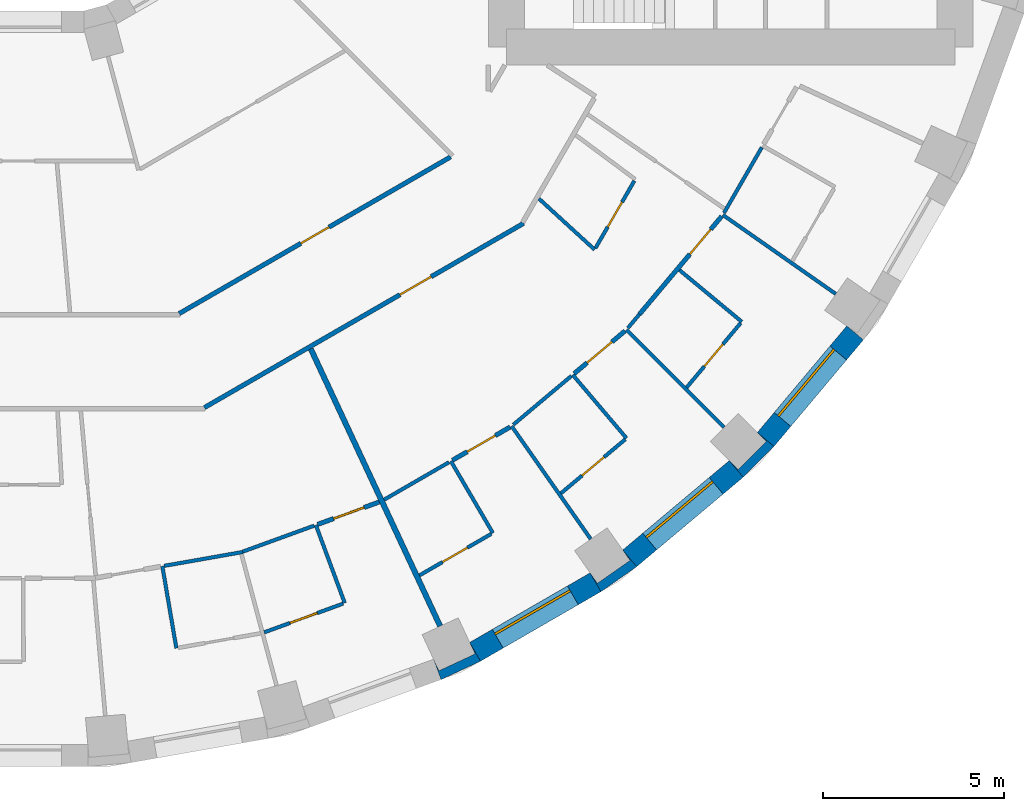
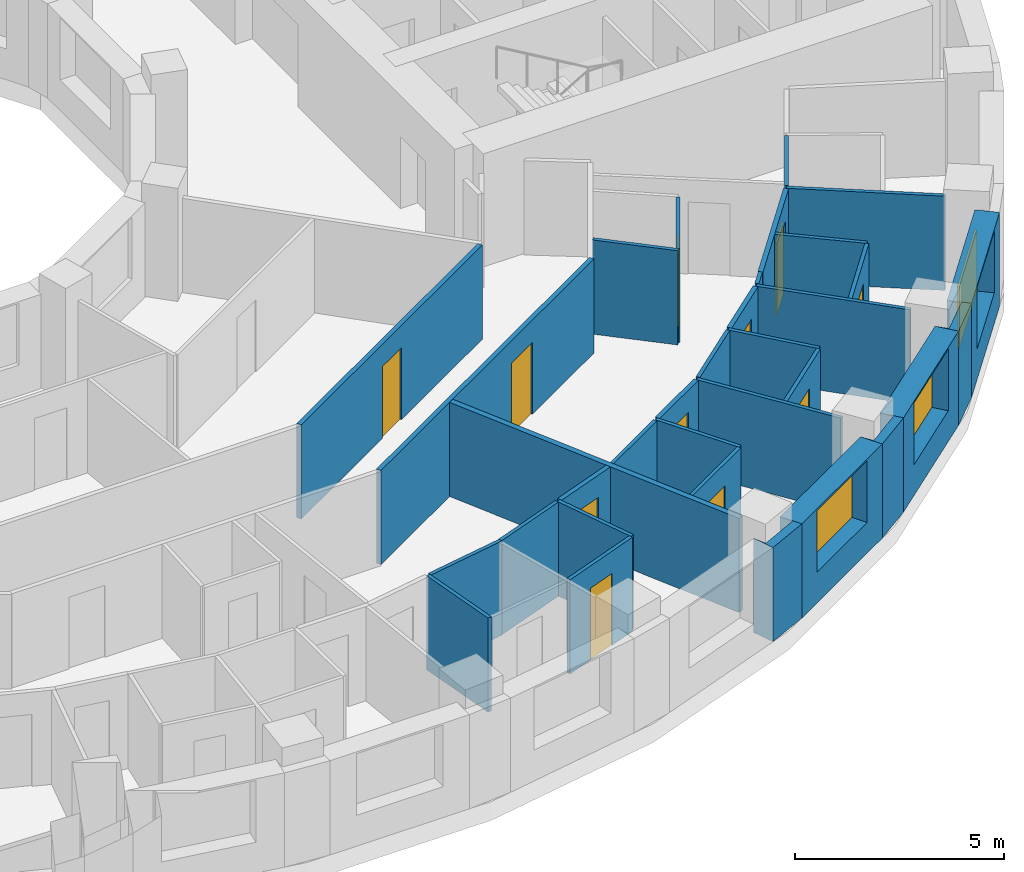
# One storey, part 7 of 15: 33 walls, 11 doors, 3 windows, 14 openings.
"""IFC4 building model written with IfcOpenShell, lengths in metres."""

import ifcopenshell
import ifcopenshell.guid

model = None  # the IFC model being written
_history = None  # IfcOwnerHistory: only IFC2X3 demands one
_inside = {}  # id of a spatial element -> (the spatial element, [elements in it])
_under = {}  # id of a project, library or spatial element -> (it, [spatial elements below it])
_declared = {}  # id of a project -> (the project, [libraries it declares])
_typed = {}  # id of a type object -> (the type object, [elements of that type])
_made_of = {}  # id of a material, layer set ... -> (it, [elements and type objects made of it])


def new_model(schema):
    """Start an empty IFC model of exactly this schema.

    Asked for "IFC4X3", IfcOpenShell would pick the latest addendum, in which some entities
    have other attributes; the version numbers below select the first issue.
    IFC2X3 requires an IfcOwnerHistory on every rooted entity: one is made here for all.
    """
    global model, _history
    if schema == "IFC4X3":
        model = ifcopenshell.file(schema_version=(4, 3, 0, 0))
    else:
        model = ifcopenshell.file(schema=schema)
    _inside.clear()
    _under.clear()
    _declared.clear()
    _typed.clear()
    _made_of.clear()
    _history = None
    if model.schema == "IFC2X3":
        org = make("IfcOrganization", Name="unknown")
        user = make(
            "IfcPersonAndOrganization",
            ThePerson=make("IfcPerson", FamilyName="unknown"),
            TheOrganization=org,
        )
        app = make(
            "IfcApplication",
            ApplicationDeveloper=org,
            Version="unknown",
            ApplicationFullName="unknown",
            ApplicationIdentifier="unknown",
        )
        _history = make(
            "IfcOwnerHistory",
            OwningUser=user,
            OwningApplication=app,
            ChangeAction="ADDED",
            CreationDate=0,
        )
    return model


def make(cls, **values):
    """One entity of the class cls with the attributes given. An attribute that is None is left unset."""
    return model.create_entity(
        cls, **{name: value for name, value in values.items() if value is not None}
    )


def rooted(cls, **values):
    """An entity with a GlobalId (a new one), such as an element, a storey or a relation."""
    return make(cls, GlobalId=ifcopenshell.guid.new(), OwnerHistory=_history, **values)


def si_unit(unit_type, name, prefix=None):
    """IfcSIUnit, for example si_unit("LENGTHUNIT", "METRE", prefix="MILLI")."""
    return make("IfcSIUnit", UnitType=unit_type, Prefix=prefix, Name=name)


def assignment(units):
    """IfcUnitAssignment: the units of a project."""
    return None if units is None else make("IfcUnitAssignment", Units=units)


def point(xyz):
    """IfcCartesianPoint."""
    return None if xyz is None else make("IfcCartesianPoint", Coordinates=xyz)


def direction(xyz):
    """IfcDirection."""
    return None if xyz is None else make("IfcDirection", DirectionRatios=xyz)


def frame(location, z_axis=None, x_axis=None):
    """IfcAxis2Placement3D, a coordinate frame: its origin and axes. An axis left out is left unset."""
    return make(
        "IfcAxis2Placement3D",
        Location=point(location),
        Axis=direction(z_axis),
        RefDirection=direction(x_axis),
    )


def frame_2d(location, x_axis=None):
    """IfcAxis2Placement2D, a coordinate frame in the plane: its origin and x axis."""
    return make(
        "IfcAxis2Placement2D", Location=point(location), RefDirection=direction(x_axis)
    )


def origin():
    """The frame at (0, 0, 0) with its axes left unset."""
    return frame((0.0, 0.0, 0.0))


def place(relative_to, where):
    """IfcLocalPlacement: puts the frame where relative to a parent placement (None: the world)."""
    return make(
        "IfcLocalPlacement", PlacementRelTo=relative_to, RelativePlacement=where
    )


def context(
    kind, dimensions, precision=None, world=None, true_north=None, identifier=None
):
    """IfcGeometricRepresentationContext, for example the 3D "Model" context."""
    return make(
        "IfcGeometricRepresentationContext",
        ContextIdentifier=identifier,
        ContextType=kind,
        CoordinateSpaceDimension=dimensions,
        Precision=precision,
        WorldCoordinateSystem=world,
        TrueNorth=true_north,
    )


def subcontext(parent, identifier, kind, view, scale=None):
    """IfcGeometricRepresentationSubContext, for example "Body" below "Model"."""
    return make(
        "IfcGeometricRepresentationSubContext",
        ContextIdentifier=identifier,
        ContextType=kind,
        ParentContext=parent,
        TargetScale=scale,
        TargetView=view,
    )


def project(units=None, contexts=None):
    """IfcProject with its units and contexts."""
    return rooted(
        "IfcProject",
        Name="project",
        RepresentationContexts=contexts,
        UnitsInContext=assignment(units),
    )


def spatial(cls, under=None, at=None, **own):
    """A site, building, storey or space (cls), placed at a placement, below another one or the project."""
    s = rooted(cls, ObjectPlacement=at, **own)
    if under is not None:
        _under.setdefault(under.id(), (under, []))[1].append(s)
    return s


def polyline(points):
    """IfcPolyline through the points."""
    return make("IfcPolyline", Points=[point(p) for p in points])


def profile(cls, at=None, kind="AREA", **sizes):
    """A parametric profile (cls). Its sizes go by their IFC names, for example OverallWidth=200.0."""
    return make(cls, ProfileType=kind, Position=at, **sizes)


def rectangle(**sizes):
    """IfcRectangleProfileDef."""
    return profile("IfcRectangleProfileDef", **sizes)


def outline(outer, holes=None, kind="AREA"):
    """IfcArbitraryClosedProfileDef: a profile drawn as a closed curve; with holes, ...WithVoids."""
    if holes is None:
        return make("IfcArbitraryClosedProfileDef", ProfileType=kind, OuterCurve=outer)
    return make(
        "IfcArbitraryProfileDefWithVoids",
        ProfileType=kind,
        OuterCurve=outer,
        InnerCurves=holes,
    )


def extrude(swept, where, along, depth):
    """IfcExtrudedAreaSolid: the profile swept, set in the frame where, extruded along a direction by depth."""
    return make(
        "IfcExtrudedAreaSolid",
        SweptArea=swept,
        Position=where,
        ExtrudedDirection=direction(along),
        Depth=depth,
    )


def shape(context_of_items, identifier, shape_type, items):
    """IfcShapeRepresentation: the items that make up one representation, for example the "Body"."""
    return make(
        "IfcShapeRepresentation",
        ContextOfItems=context_of_items,
        RepresentationIdentifier=identifier,
        RepresentationType=shape_type,
        Items=items,
    )


def material(Name=None, Category=None):
    """IfcMaterial."""
    return make("IfcMaterial", Name=Name, Category=Category)


def layer(
    of_material, thickness, ventilated=None, Name=None, Category=None, Priority=None
):
    """IfcMaterialLayer: one layer of a wall or slab, of a material (None: an air gap)."""
    return make(
        "IfcMaterialLayer",
        Material=of_material,
        LayerThickness=thickness,
        IsVentilated=ventilated,
        Name=Name,
        Category=Category,
        Priority=Priority,
    )


def layer_set(layers, Name=None):
    """IfcMaterialLayerSet."""
    return make("IfcMaterialLayerSet", MaterialLayers=layers, LayerSetName=Name)


def made_of(thing, what):
    """Note that an element or type object is made of a material, layer set ...; save() writes the relation."""
    if what is not None:
        _made_of.setdefault(what.id(), (what, []))[1].append(thing)
    return thing


def type_object(cls, material=None, **own):
    """A type object (cls), such as IfcWallType, which elements share."""
    return made_of(rooted(cls, **own), material)


def element(
    cls,
    number,
    at=None,
    inside=None,
    cuts=None,
    type_object=None,
    material=None,
    context=None,
    identifier="Body",
    shape_type=None,
    held_by="IfcProductDefinitionShape",
    body=None,
    shapes=None,
    **own,
):
    """One element of the class cls, such as IfcWall. Its Tag is "e" and its number.

    at: its placement. inside: the storey or other place that contains it. cuts: it is an
    opening in that element (IfcRelVoidsElement). A single representation is given by context,
    identifier, shape_type and body (its items); several are given by shapes. held_by: the class
    of the entity that holds the representations. save() writes the other relations.
    """
    e = rooted(cls, Tag="e%d" % number, ObjectPlacement=at, **own)
    if body is not None:
        shapes = [shape(context, identifier, shape_type, body)]
    if shapes is not None:
        e.Representation = make(held_by, Representations=shapes)
    if inside is not None:
        _inside.setdefault(inside.id(), (inside, []))[1].append(e)
    if cuts is not None:
        rooted(
            "IfcRelVoidsElement", RelatingBuildingElement=cuts, RelatedOpeningElement=e
        )
    if type_object is not None:
        _typed.setdefault(type_object.id(), (type_object, []))[1].append(e)
    return made_of(e, material)


def fill(opening, filler):
    """IfcRelFillsElement: the door or window that sits in an opening."""
    return rooted(
        "IfcRelFillsElement",
        RelatingOpeningElement=opening,
        RelatedBuildingElement=filler,
    )


def aggregate(whole, parts):
    """IfcRelAggregates: a whole, such as a stair, and the parts it consists of."""
    return rooted("IfcRelAggregates", RelatingObject=whole, RelatedObjects=parts)


def save(model, path):
    """Write the relations noted so far, then the file.

    IfcRelAggregates (storeys below a building ...), IfcRelContainedInSpatialStructure (elements
    in a storey), IfcRelDefinesByType, IfcRelAssociatesMaterial and IfcRelDeclares: one each for
    every whole, place, type object, material and project.
    """
    for whole, parts in _under.values():
        aggregate(whole, parts)
    for where, things in _inside.values():
        rooted(
            "IfcRelContainedInSpatialStructure",
            RelatedElements=things,
            RelatingStructure=where,
        )
    for kind, things in _typed.values():
        rooted("IfcRelDefinesByType", RelatedObjects=things, RelatingType=kind)
    for what, things in _made_of.values():
        rooted("IfcRelAssociatesMaterial", RelatedObjects=things, RelatingMaterial=what)
    for by, libraries in _declared.values():
        rooted("IfcRelDeclares", RelatingContext=by, RelatedDefinitions=libraries)
    model.write(path)


model = new_model("IFC4")

# Units and contexts
model_context = context("Model", 3, precision=1e-05, world=origin(), true_north=direction((0.0, 1.0)))
body_context = subcontext(model_context, "Body", "Model", "MODEL_VIEW")
ifc_project = project(units=[si_unit("LENGTHUNIT", "METRE"), si_unit("AREAUNIT", "SQUARE_METRE"), si_unit("VOLUMEUNIT", "CUBIC_METRE"), si_unit("PLANEANGLEUNIT", "RADIAN"), si_unit("MASSUNIT", "GRAM", prefix="KILO")], contexts=[model_context])

# Site, building, storey
site_placement = place(None, origin())
site = spatial("IfcSite", under=ifc_project, at=site_placement, CompositionType="ELEMENT")
building_placement = place(site_placement, origin())
building = spatial("IfcBuilding", under=site, at=building_placement, Name="Saqina Gate Tower", CompositionType="ELEMENT")
storey_placement = place(building_placement, frame((0.0, 0.0, 62.60009765625)))
storey = spatial("IfcBuildingStorey", under=building, at=storey_placement, Name="L17", CompositionType="ELEMENT", Elevation=62.60009765625)

# Walls
ifc_material_1 = material(Name="Brick masonry (red)", Category="masonry")
wall_type_1 = type_object("IfcWallType", Name="BRICK PIER COPING RED", PredefinedType="SOLIDWALL", material=ifc_material_1)
wall_1_placement = place(storey_placement, origin())
element("IfcWall", 1, at=wall_1_placement, inside=storey, type_object=wall_type_1, Name="Pier cap L17 column 30", PredefinedType="SOLIDWALL", context=body_context, shape_type="SweptSolid", body=[
    extrude(outline(polyline([(12.779541015625, -25.980712890625), (12.4794921875, -25.4609375), (12.627685546875, -25.778564453125), (11.630615234375, -26.243408203125), (11.482666015625, -25.92578125), (11.687744140625, -26.48974609375), (12.779541015625, -25.980712890625)])), origin(), (0.0, 0.0, 1.0), 2.75),
])
wall_2_placement = place(storey_placement, origin())
element("IfcWall", 2, at=wall_2_placement, inside=storey, type_object=wall_type_1, Name="Pier cap L17 column 31", PredefinedType="SOLIDWALL", context=body_context, shape_type="SweptSolid", body=[
    extrude(outline(polyline([(16.110107421875, -24.0576171875), (17.096923828125, -23.36669921875), (16.711181640625, -22.9072265625), (16.912109375, -23.194091796875), (16.010986328125, -23.8251953125), (15.81005859375, -23.5380859375), (16.110107421875, -24.0576171875)])), origin(), (0.0, 0.0, 1.0), 2.75),
])
wall_3_placement = place(storey_placement, origin())
element("IfcWall", 3, at=wall_3_placement, inside=storey, type_object=wall_type_1, Name="Pier cap L17 column 32", PredefinedType="SOLIDWALL", context=body_context, shape_type="SweptSolid", body=[
    extrude(outline(polyline([(20.894775390625, -20.04296875), (20.43505859375, -19.6572265625), (20.682861328125, -19.905029296875), (19.905029296875, -20.682861328125), (19.6572265625, -20.43505859375), (20.04296875, -20.894775390625), (20.894775390625, -20.04296875)])), origin(), (0.0, 0.0, 1.0), 2.75),
])

# Wall, opening, window
ifc_material_2 = material(Name="Brick masonry (red)", Category="masonry")
ifc_layer_1 = layer(ifc_material_2, 0.60009765625)
ifc_layer_set_1 = layer_set([ifc_layer_1], Name="FW-BRICK-RED")
wall_type_2 = type_object("IfcWallType", Name="FW-BRICK-RED", PredefinedType="SOLIDWALL", material=ifc_layer_set_1)
wall_4_placement = place(storey_placement, frame((12.629638671875, -25.720703125, 0.0), z_axis=(0.0, 0.0, 1.0), x_axis=(0.86603124159, 0.499989888488, 0.0)))
wall_4 = element("IfcWall", 4, at=wall_4_placement, inside=storey, type_object=wall_type_2, Name="Facade wall L17 facet 30", PredefinedType="SOLIDWALL", context=body_context, shape_type="SweptSolid", body=[
    extrude(rectangle(XDim=3.845703125, YDim=0.60009765625, at=frame_2d((1.9228515625, 0.0))), origin(), (0.0, 0.0, 1.0), 2.75),
])
opening_1_placement = place(wall_4_placement, frame((0.722900390625, 0.0, 0.89990234375)))
opening_1 = element("IfcOpeningElement", 5, at=opening_1_placement, cuts=wall_4, Name="Opening G04-W20", PredefinedType="OPENING", context=body_context, shape_type="SweptSolid", body=[
    extrude(rectangle(XDim=2.39990234375, YDim=1.800048828125, at=frame_2d((1.199951171875, 0.89990234375))), frame((0.0, 0.31201171875, 0.0), z_axis=(0.0, -1.0, 0.0), x_axis=(1.0, 0.0, 0.0)), (0.0, 0.0, 1.0), 0.6240234375),
])
ifc_material_3 = material(Name="Aluminium glazing", Category="aluminium")
window_type = type_object("IfcWindowType", Name="WN-A", PartitioningType="SINGLE_PANEL", PredefinedType="WINDOW", material=ifc_material_3)
window_1_placement = place(opening_1_placement, origin())
window_1 = element("IfcWindow", 6, at=window_1_placement, inside=storey, type_object=window_type, Name="Window L17 facet 30", OverallHeight=1.800048828125, OverallWidth=2.39990234375, PartitioningType="SINGLE_PANEL", PredefinedType="WINDOW", context=body_context, shape_type="SweptSolid", body=[
    extrude(rectangle(XDim=2.39990234375, YDim=1.800048828125, at=frame_2d((1.199951171875, 0.89990234375))), frame((0.0, 0.179931640625, 0.0), z_axis=(0.0, -1.0, 0.0), x_axis=(1.0, 0.0, 0.0)), (0.0, 0.0, 1.0), 0.06005859375),
])
fill(opening_1, window_1)

wall_5_placement = place(storey_placement, frame((16.904052734375, -23.136962890625, 0.0), z_axis=(0.0, 0.0, 1.0), x_axis=(0.766026164483, 0.642809392687, 0.0)))
wall_5 = element("IfcWall", 7, at=wall_5_placement, inside=storey, type_object=wall_type_2, Name="Facade wall L17 facet 31", PredefinedType="SOLIDWALL", context=body_context, shape_type="SweptSolid", body=[
    extrude(rectangle(XDim=3.845947265625, YDim=0.60009765625, at=frame_2d((1.9228515625, 0.0))), origin(), (0.0, 0.0, 1.0), 2.75),
])
opening_2_placement = place(wall_5_placement, frame((0.722900390625, 0.0, 0.89990234375)))
opening_2 = element("IfcOpeningElement", 8, at=opening_2_placement, cuts=wall_5, Name="Opening G04-W21", PredefinedType="OPENING", context=body_context, shape_type="SweptSolid", body=[
    extrude(rectangle(XDim=2.39990234375, YDim=1.800048828125, at=frame_2d((1.199951171875, 0.89990234375))), frame((0.0, 0.31201171875, 0.0), z_axis=(0.0, -1.0, 0.0), x_axis=(1.0, 0.0, 0.0)), (0.0, 0.0, 1.0), 0.6240234375),
])
window_2_placement = place(opening_2_placement, origin())
window_2 = element("IfcWindow", 9, at=window_2_placement, inside=storey, type_object=window_type, Name="Window L17 facet 31", OverallHeight=1.800048828125, OverallWidth=2.39990234375, PartitioningType="SINGLE_PANEL", PredefinedType="WINDOW", context=body_context, shape_type="SweptSolid", body=[
    extrude(rectangle(XDim=2.39990234375, YDim=1.800048828125, at=frame_2d((1.199951171875, 0.89990234375))), frame((0.0, 0.179931640625, 0.0), z_axis=(0.0, -1.0, 0.0), x_axis=(1.0, 0.0, 0.0)), (0.0, 0.0, 1.0), 0.06005859375),
])
fill(opening_2, window_2)

wall_6_placement = place(storey_placement, frame((20.664794921875, -19.85009765625, 0.0), z_axis=(0.0, 0.0, 1.0), x_axis=(0.642809392687, 0.766026164483, 0.0)))
wall_6 = element("IfcWall", 10, at=wall_6_placement, inside=storey, type_object=wall_type_2, Name="Facade wall L17 facet 32", PredefinedType="SOLIDWALL", context=body_context, shape_type="SweptSolid", body=[
    extrude(rectangle(XDim=3.845947265625, YDim=0.60009765625, at=frame_2d((1.9228515625, 0.0))), origin(), (0.0, 0.0, 1.0), 2.75),
])
opening_3_placement = place(wall_6_placement, frame((0.722900390625, 0.0, 0.89990234375)))
opening_3 = element("IfcOpeningElement", 11, at=opening_3_placement, cuts=wall_6, Name="Opening G04-W22", PredefinedType="OPENING", context=body_context, shape_type="SweptSolid", body=[
    extrude(rectangle(XDim=2.39990234375, YDim=1.800048828125, at=frame_2d((1.199951171875, 0.89990234375))), frame((0.0, 0.31201171875, 0.0), z_axis=(0.0, -1.0, 0.0), x_axis=(1.0, 0.0, 0.0)), (0.0, 0.0, 1.0), 0.6240234375),
])
window_3_placement = place(opening_3_placement, origin())
window_3 = element("IfcWindow", 12, at=window_3_placement, inside=storey, type_object=window_type, Name="Window L17 facet 32", OverallHeight=1.800048828125, OverallWidth=2.39990234375, PartitioningType="SINGLE_PANEL", PredefinedType="WINDOW", context=body_context, shape_type="SweptSolid", body=[
    extrude(rectangle(XDim=2.39990234375, YDim=1.800048828125, at=frame_2d((1.199951171875, 0.89990234375))), frame((0.0, 0.179931640625, 0.0), z_axis=(0.0, -1.0, 0.0), x_axis=(1.0, 0.0, 0.0)), (0.0, 0.0, 1.0), 0.06005859375),
])
fill(opening_3, window_3)

# Walls
ifc_material_4 = material(Name="Gypsum board on steel studs, 100 mm", Category="steel")
ifc_layer_2 = layer(ifc_material_4, 0.10009765625)
ifc_layer_set_2 = layer_set([ifc_layer_2], Name="PARTITION 100")
wall_type_3 = type_object("IfcWallType", Name="PARTITION 100", PredefinedType="PARTITIONING", material=ifc_layer_set_2)
wall_7_placement = place(storey_placement, frame((3.98291015625, -23.35302734375, 0.0), z_axis=(0.0, 0.0, 1.0), x_axis=(0.168356840278, -0.985726115273, 0.0)))
element("IfcWall", 13, at=wall_7_placement, inside=storey, type_object=wall_type_3, Name="PARTITION PW3-07", PredefinedType="PARTITIONING", context=body_context, shape_type="SweptSolid", body=[
    extrude(rectangle(XDim=2.2998046875, YDim=0.10009765625, at=frame_2d((1.14990234375, 0.0))), origin(), (0.0, 0.0, 1.0), 2.75),
])
wall_8_placement = place(storey_placement, frame((8.22705078125, -22.216064453125, 0.0), z_axis=(0.0, 0.0, 1.0), x_axis=(0.347431936108, -0.937705204087, 0.0)))
element("IfcWall", 14, at=wall_8_placement, inside=storey, type_object=wall_type_3, Name="PARTITION PW3-13", PredefinedType="PARTITIONING", context=body_context, shape_type="SweptSolid", body=[
    extrude(rectangle(XDim=2.29931640625, YDim=0.10009765625, at=frame_2d((1.149658203125, 0.0))), origin(), (0.0, 0.0, 1.0), 2.75),
])
wall_9_placement = place(storey_placement, frame((11.9599609375, -20.448974609375, 0.0), z_axis=(0.0, 0.0, 1.0), x_axis=(0.504708754908, -0.863289680651, 0.0)))
element("IfcWall", 15, at=wall_9_placement, inside=storey, type_object=wall_type_3, Name="PARTITION PW3-18", PredefinedType="PARTITIONING", context=body_context, shape_type="SweptSolid", body=[
    extrude(rectangle(XDim=2.300537109375, YDim=0.10009765625, at=frame_2d((1.150390625, 0.0))), origin(), (0.0, 0.0, 1.0), 2.75),
])
wall_10_placement = place(storey_placement, frame((13.639892578125, -19.47998046875, 0.0), z_axis=(0.0, 0.0, 1.0), x_axis=(0.573574167811, -0.819153632733, 0.0)))
element("IfcWall", 16, at=wall_10_placement, inside=storey, type_object=wall_type_3, Name="PARTITION PW3-20", PredefinedType="PARTITIONING", context=body_context, shape_type="SweptSolid", body=[
    extrude(rectangle(XDim=3.8095703125, YDim=0.10009765625, at=frame_2d((1.90478515625, 0.0))), origin(), (0.0, 0.0, 1.0), 2.75),
])
wall_11_placement = place(storey_placement, frame((15.3291015625, -18.06201171875, 0.0), z_axis=(0.0, 0.0, 1.0), x_axis=(0.646883930741, -0.762588473653, 0.0)))
element("IfcWall", 17, at=wall_11_placement, inside=storey, type_object=wall_type_3, Name="PARTITION PW3-24", PredefinedType="PARTITIONING", context=body_context, shape_type="SweptSolid", body=[
    extrude(rectangle(XDim=2.300048828125, YDim=0.10009765625, at=frame_2d((1.14990234375, 0.0))), origin(), (0.0, 0.0, 1.0), 2.75),
])
wall_12_placement = place(storey_placement, frame((16.81494140625, -16.81494140625, 0.0), z_axis=(0.0, 0.0, 1.0), x_axis=(0.707106781187, -0.707106781187, 0.0)))
element("IfcWall", 18, at=wall_12_placement, inside=storey, type_object=wall_type_3, Name="PARTITION PW3-26", PredefinedType="PARTITIONING", context=body_context, shape_type="SweptSolid", body=[
    extrude(rectangle(XDim=3.81005859375, YDim=0.10009765625, at=frame_2d((1.905029296875, 0.0))), origin(), (0.0, 0.0, 1.0), 2.75),
])
wall_13_placement = place(storey_placement, frame((14.394287109375, -13.1904296875, 0.0), z_axis=(0.0, 0.0, 1.0), x_axis=(0.73735307629, -0.675507543175, 0.0)))
element("IfcWall", 19, at=wall_13_placement, inside=storey, type_object=wall_type_3, Name="PARTITION PW3-28", PredefinedType="PARTITIONING", context=body_context, shape_type="SweptSolid", body=[
    extrude(rectangle(XDim=2.08837890625, YDim=0.10009765625, at=frame_2d((1.044189453125, 0.0))), origin(), (0.0, 0.0, 1.0), 2.75),
])
wall_14_placement = place(storey_placement, frame((18.281005859375, -15.166015625, 0.0), z_axis=(0.0, 0.0, 1.0), x_axis=(0.769748804589, -0.638346910257, 0.0)))
element("IfcWall", 20, at=wall_14_placement, inside=storey, type_object=wall_type_3, Name="PARTITION PW3-33", PredefinedType="PARTITIONING", context=body_context, shape_type="SweptSolid", body=[
    extrude(rectangle(XDim=2.237060546875, YDim=0.10009765625, at=frame_2d((1.11865234375, 0.0))), origin(), (0.0, 0.0, 1.0), 2.75),
])
wall_15_placement = place(storey_placement, frame((19.47998046875, -13.639892578125, 0.0), z_axis=(0.0, 0.0, 1.0), x_axis=(0.819153632733, -0.573574167811, 0.0)))
element("IfcWall", 21, at=wall_15_placement, inside=storey, type_object=wall_type_3, Name="PARTITION PW3-37", PredefinedType="PARTITIONING", context=body_context, shape_type="SweptSolid", body=[
    extrude(rectangle(XDim=3.8095703125, YDim=0.10009765625, at=frame_2d((1.90478515625, 0.0))), origin(), (0.0, 0.0, 1.0), 2.75),
])
wall_16_placement = place(storey_placement, frame((4.0322265625, -23.34423828125, 0.0), z_axis=(0.0, 0.0, 1.0), x_axis=(0.98481362095, 0.173614895648, 0.0)))
element("IfcWall", 22, at=wall_16_placement, inside=storey, type_object=wall_type_3, Name="PARTITION PW3-64", PredefinedType="PARTITIONING", context=body_context, shape_type="SweptSolid", body=[
    extrude(rectangle(XDim=2.206298828125, YDim=0.10009765625, at=frame_2d((1.10302734375, 0.0))), origin(), (0.0, 0.0, 1.0), 2.75),
])

# Wall, opening, door
wall_17_placement = place(storey_placement, frame((6.799072265625, -25.182861328125, 0.0), z_axis=(0.0, 0.0, 1.0), x_axis=(0.939655079874, 0.342123268526, 0.0)))
wall_17 = element("IfcWall", 23, at=wall_17_placement, inside=storey, type_object=wall_type_3, Name="PARTITION PW3-67", PredefinedType="PARTITIONING", context=body_context, shape_type="SweptSolid", body=[
    extrude(rectangle(XDim=2.31982421875, YDim=0.10009765625, at=frame_2d((1.159912109375, 0.0))), origin(), (0.0, 0.0, 1.0), 2.75),
])
opening_4_placement = place(wall_17_placement, frame((0.760009765625, 0.0, 0.0)))
opening_4 = element("IfcOpeningElement", 24, at=opening_4_placement, cuts=wall_17, Name="Opening G04-D54", PredefinedType="OPENING", context=body_context, shape_type="SweptSolid", body=[
    extrude(rectangle(XDim=0.800048828125, YDim=2.10009765625, at=frame_2d((0.39990234375, 1.050048828125))), frame((0.0, 0.06201171875, 0.0), z_axis=(0.0, -1.0, 0.0), x_axis=(1.0, 0.0, 0.0)), (0.0, 0.0, 1.0), 0.1240234375),
])
ifc_material_5 = material(Name="Timber door leaf, 800 mm", Category="wood")
door_type_1 = type_object("IfcDoorType", Name="DOOR 800 TIMBER", OperationType="SINGLE_SWING_LEFT", PredefinedType="DOOR", material=ifc_material_5)
door_1_placement = place(opening_4_placement, frame((0.800048828125, 0.0, 0.0), z_axis=(0.0, 0.0, 1.0), x_axis=(-1.0, 0.0, 0.0)))
door_1 = element("IfcDoor", 25, at=door_1_placement, inside=storey, type_object=door_type_1, Name="DOOR G04-D54", OperationType="SINGLE_SWING_RIGHT", OverallHeight=2.10009765625, OverallWidth=0.800048828125, PredefinedType="DOOR", context=body_context, shape_type="SweptSolid", body=[
    extrude(rectangle(XDim=0.800048828125, YDim=2.10009765625, at=frame_2d((0.39990234375, 1.050048828125))), frame((0.0, 0.02490234375, 0.0), z_axis=(0.0, -1.0, 0.0), x_axis=(1.0, 0.0, 0.0)), (0.0, 0.0, 1.0), 0.050048828125),
])
fill(opening_4, door_1)

# Wall
wall_18_placement = place(storey_placement, frame((6.201904296875, -22.952880859375, 0.0), z_axis=(0.0, 0.0, 1.0), x_axis=(0.939725675468, 0.341929312674, 0.0)))
element("IfcWall", 26, at=wall_18_placement, inside=storey, type_object=wall_type_3, Name="PARTITION PW3-68", PredefinedType="PARTITIONING", context=body_context, shape_type="SweptSolid", body=[
    extrude(rectangle(XDim=2.10498046875, YDim=0.10009765625, at=frame_2d((1.052490234375, 0.0))), origin(), (0.0, 0.0, 1.0), 2.75),
])

# Wall, opening, door
wall_19_placement = place(storey_placement, frame((11.091064453125, -23.607421875, 0.0), z_axis=(0.0, 0.0, 1.0), x_axis=(0.865928578621, 0.500167668615, 0.0)))
wall_19 = element("IfcWall", 27, at=wall_19_placement, inside=storey, type_object=wall_type_3, Name="PARTITION PW3-72", PredefinedType="PARTITIONING", context=body_context, shape_type="SweptSolid", body=[
    extrude(rectangle(XDim=2.294189453125, YDim=0.10009765625, at=frame_2d((1.14697265625, 0.0))), origin(), (0.0, 0.0, 1.0), 2.75),
])
opening_5_placement = place(wall_19_placement, frame((0.734619140625, 0.0, 0.0)))
opening_5 = element("IfcOpeningElement", 28, at=opening_5_placement, cuts=wall_19, Name="Opening G04-D56", PredefinedType="OPENING", context=body_context, shape_type="SweptSolid", body=[
    extrude(rectangle(XDim=0.800048828125, YDim=2.10009765625, at=frame_2d((0.39990234375, 1.050048828125))), frame((0.0, 0.06201171875, 0.0), z_axis=(0.0, -1.0, 0.0), x_axis=(1.0, 0.0, 0.0)), (0.0, 0.0, 1.0), 0.1240234375),
])
door_2_placement = place(opening_5_placement, frame((0.800048828125, 0.0, 0.0), z_axis=(0.0, 0.0, 1.0), x_axis=(-1.0, 0.0, 0.0)))
door_2 = element("IfcDoor", 29, at=door_2_placement, inside=storey, type_object=door_type_1, Name="DOOR G04-D56", OperationType="SINGLE_SWING_RIGHT", OverallHeight=2.10009765625, OverallWidth=0.800048828125, PredefinedType="DOOR", context=body_context, shape_type="SweptSolid", body=[
    extrude(rectangle(XDim=0.800048828125, YDim=2.10009765625, at=frame_2d((0.39990234375, 1.050048828125))), frame((0.0, 0.02490234375, 0.0), z_axis=(0.0, -1.0, 0.0), x_axis=(1.0, 0.0, 0.0)), (0.0, 0.0, 1.0), 0.050048828125),
])
fill(opening_5, door_2)

# Wall
wall_20_placement = place(storey_placement, frame((10.114990234375, -21.514404296875, 0.0), z_axis=(0.0, 0.0, 1.0), x_axis=(0.865967335607, 0.500100563549, 0.0)))
element("IfcWall", 30, at=wall_20_placement, inside=storey, type_object=wall_type_3, Name="PARTITION PW3-73", PredefinedType="PARTITIONING", context=body_context, shape_type="SweptSolid", body=[
    extrude(rectangle(XDim=2.06787109375, YDim=0.10009765625, at=frame_2d((1.033935546875, 0.0))), origin(), (0.0, 0.0, 1.0), 2.75),
])

# Wall, opening, door
wall_21_placement = place(storey_placement, frame((15.002197265625, -21.3388671875, 0.0), z_axis=(0.0, 0.0, 1.0), x_axis=(0.766051078848, 0.642779701449, 0.0)))
wall_21 = element("IfcWall", 31, at=wall_21_placement, inside=storey, type_object=wall_type_3, Name="PARTITION PW3-79", PredefinedType="PARTITIONING", context=body_context, shape_type="SweptSolid", body=[
    extrude(rectangle(XDim=2.319091796875, YDim=0.10009765625, at=frame_2d((1.15966796875, 0.0))), origin(), (0.0, 0.0, 1.0), 2.75),
])
opening_6_placement = place(wall_21_placement, frame((0.759521484375, 0.0, 0.0)))
opening_6 = element("IfcOpeningElement", 32, at=opening_6_placement, cuts=wall_21, Name="Opening G04-D61", PredefinedType="OPENING", context=body_context, shape_type="SweptSolid", body=[
    extrude(rectangle(XDim=0.800048828125, YDim=2.10009765625, at=frame_2d((0.39990234375, 1.050048828125))), frame((0.0, 0.06201171875, 0.0), z_axis=(0.0, -1.0, 0.0), x_axis=(1.0, 0.0, 0.0)), (0.0, 0.0, 1.0), 0.1240234375),
])
door_3_placement = place(opening_6_placement, frame((0.800048828125, 0.0, 0.0), z_axis=(0.0, 0.0, 1.0), x_axis=(-1.0, 0.0, 0.0)))
door_3 = element("IfcDoor", 33, at=door_3_placement, inside=storey, type_object=door_type_1, Name="DOOR G04-D61", OperationType="SINGLE_SWING_RIGHT", OverallHeight=2.10009765625, OverallWidth=0.800048828125, PredefinedType="DOOR", context=body_context, shape_type="SweptSolid", body=[
    extrude(rectangle(XDim=0.800048828125, YDim=2.10009765625, at=frame_2d((0.39990234375, 1.050048828125))), frame((0.0, 0.02490234375, 0.0), z_axis=(0.0, -1.0, 0.0), x_axis=(1.0, 0.0, 0.0)), (0.0, 0.0, 1.0), 0.050048828125),
])
fill(opening_6, door_3)

# Wall
wall_22_placement = place(storey_placement, frame((13.68798828125, -19.439697265625, 0.0), z_axis=(0.0, 0.0, 1.0), x_axis=(0.765911671875, 0.642945807114, 0.0)))
element("IfcWall", 34, at=wall_22_placement, inside=storey, type_object=wall_type_3, Name="PARTITION PW3-80", PredefinedType="PARTITIONING", context=body_context, shape_type="SweptSolid", body=[
    extrude(rectangle(XDim=2.092529296875, YDim=0.10009765625, at=frame_2d((1.04638671875, 0.0))), origin(), (0.0, 0.0, 1.0), 2.75),
])

# Wall, opening, door
wall_23_placement = place(storey_placement, frame((18.480224609375, -18.40966796875, 0.0), z_axis=(0.0, 0.0, 1.0), x_axis=(0.642624220064, 0.766181513603, 0.0)))
wall_23 = element("IfcWall", 35, at=wall_23_placement, inside=storey, type_object=wall_type_3, Name="PARTITION PW3-85", PredefinedType="PARTITIONING", context=body_context, shape_type="SweptSolid", body=[
    extrude(rectangle(XDim=2.31982421875, YDim=0.10009765625, at=frame_2d((1.159912109375, 0.0))), origin(), (0.0, 0.0, 1.0), 2.75),
])
opening_7_placement = place(wall_23_placement, frame((0.760009765625, 0.0, 0.0)))
opening_7 = element("IfcOpeningElement", 36, at=opening_7_placement, cuts=wall_23, Name="Opening G04-D63", PredefinedType="OPENING", context=body_context, shape_type="SweptSolid", body=[
    extrude(rectangle(XDim=0.800048828125, YDim=2.10009765625, at=frame_2d((0.39990234375, 1.050048828125))), frame((0.0, 0.06201171875, 0.0), z_axis=(0.0, -1.0, 0.0), x_axis=(1.0, 0.0, 0.0)), (0.0, 0.0, 1.0), 0.1240234375),
])
door_4_placement = place(opening_7_placement, frame((0.800048828125, 0.0, 0.0), z_axis=(0.0, 0.0, 1.0), x_axis=(-1.0, 0.0, 0.0)))
door_4 = element("IfcDoor", 37, at=door_4_placement, inside=storey, type_object=door_type_1, Name="DOOR G04-D63", OperationType="SINGLE_SWING_LEFT", OverallHeight=2.10009765625, OverallWidth=0.800048828125, PredefinedType="DOOR", context=body_context, shape_type="SweptSolid", body=[
    extrude(rectangle(XDim=0.800048828125, YDim=2.10009765625, at=frame_2d((0.39990234375, 1.050048828125))), frame((0.0, 0.02490234375, 0.0), z_axis=(0.0, -1.0, 0.0), x_axis=(1.0, 0.0, 0.0)), (0.0, 0.0, 1.0), 0.050048828125),
])
fill(opening_7, door_4)

# Walls
wall_24_placement = place(storey_placement, frame((16.855224609375, -16.76708984375, 0.0), z_axis=(0.0, 0.0, 1.0), x_axis=(0.643065922472, 0.765810824784, 0.0)))
element("IfcWall", 38, at=wall_24_placement, inside=storey, type_object=wall_type_3, Name="PARTITION PW3-86", PredefinedType="PARTITIONING", context=body_context, shape_type="SweptSolid", body=[
    extrude(rectangle(XDim=0.499267578125, YDim=0.10009765625, at=frame_2d((0.24951171875, 0.0))), origin(), (0.0, 0.0, 1.0), 2.75),
])
wall_25_placement = place(storey_placement, frame((19.51123046875, -13.5859375, 0.0), z_axis=(0.0, 0.0, 1.0), x_axis=(0.499752749986, 0.866168106594, 0.0)))
element("IfcWall", 39, at=wall_25_placement, inside=storey, type_object=wall_type_3, Name="PARTITION PW3-92", PredefinedType="PARTITIONING", context=body_context, shape_type="SweptSolid", body=[
    extrude(rectangle(XDim=2.0927734375, YDim=0.10009765625, at=frame_2d((1.04638671875, 0.0))), origin(), (0.0, 0.0, 1.0), 2.75),
])

# Wall, opening, door
wall_26_placement = place(storey_placement, frame((15.958984375, -14.5576171875, 0.0), z_axis=(0.0, 0.0, 1.0), x_axis=(0.500017897371, 0.866015070486, 0.0)))
wall_26 = element("IfcWall", 40, at=wall_26_placement, inside=storey, type_object=wall_type_3, Name="PARTITION PW3-93", PredefinedType="PARTITIONING", context=body_context, shape_type="SweptSolid", body=[
    extrude(rectangle(XDim=2.14599609375, YDim=0.10009765625, at=frame_2d((1.072998046875, 0.0))), origin(), (0.0, 0.0, 1.0), 2.75),
])
opening_8_placement = place(wall_26_placement, frame((0.673095703125, 0.0, 0.0)))
opening_8 = element("IfcOpeningElement", 41, at=opening_8_placement, cuts=wall_26, Name="Opening G04-D64", PredefinedType="OPENING", context=body_context, shape_type="SweptSolid", body=[
    extrude(rectangle(XDim=0.800048828125, YDim=2.10009765625, at=frame_2d((0.39990234375, 1.050048828125))), frame((0.0, 0.06201171875, 0.0), z_axis=(0.0, -1.0, 0.0), x_axis=(1.0, 0.0, 0.0)), (0.0, 0.0, 1.0), 0.1240234375),
])
door_5_placement = place(opening_8_placement, frame((0.800048828125, 0.0, 0.0), z_axis=(0.0, 0.0, 1.0), x_axis=(-1.0, 0.0, 0.0)))
door_5 = element("IfcDoor", 42, at=door_5_placement, inside=storey, type_object=door_type_1, Name="DOOR G04-D64", OperationType="SINGLE_SWING_LEFT", OverallHeight=2.10009765625, OverallWidth=0.800048828125, PredefinedType="DOOR", context=body_context, shape_type="SweptSolid", body=[
    extrude(rectangle(XDim=0.800048828125, YDim=2.10009765625, at=frame_2d((0.39990234375, 1.050048828125))), frame((0.0, 0.02490234375, 0.0), z_axis=(0.0, -1.0, 0.0), x_axis=(1.0, 0.0, 0.0)), (0.0, 0.0, 1.0), 0.050048828125),
])
fill(opening_8, door_5)

ifc_material_6 = material(Name="Gypsum board on steel studs, 125 mm, fire rated", Category="steel")
ifc_layer_3 = layer(ifc_material_6, 0.125)
ifc_layer_set_3 = layer_set([ifc_layer_3], Name="PARTITION EI 30 125")
wall_type_4 = type_object("IfcWallType", Name="PARTITION EI 30 125", PredefinedType="PARTITIONING", material=ifc_layer_set_3)
wall_27_placement = place(storey_placement, frame((8.27392578125, -22.198974609375, 0.0), z_axis=(0.0, 0.0, 1.0), x_axis=(0.939592989856, 0.342293753104, 0.0)))
wall_27 = element("IfcWall", 43, at=wall_27_placement, inside=storey, type_object=wall_type_4, Name="PARTITION PW1-29", PredefinedType="PARTITIONING", context=body_context, shape_type="SweptSolid", body=[
    extrude(rectangle(XDim=1.815185546875, YDim=0.125, at=frame_2d((0.90771484375, 0.0))), origin(), (0.0, 0.0, 1.0), 2.75),
])
opening_9_placement = place(wall_27_placement, frame((0.47021484375, 0.0, 0.0)))
opening_9 = element("IfcOpeningElement", 44, at=opening_9_placement, cuts=wall_27, Name="Opening G04-D55", PredefinedType="OPENING", context=body_context, shape_type="SweptSolid", body=[
    extrude(rectangle(XDim=0.89990234375, YDim=2.10009765625, at=frame_2d((0.449951171875, 1.050048828125))), frame((0.0, 0.074462890625, 0.0), z_axis=(0.0, -1.0, 0.0), x_axis=(1.0, 0.0, 0.0)), (0.0, 0.0, 1.0), 0.14892578125),
])
ifc_material_7 = material(Name="Fire door leaf EI 30, 900 mm")
door_type_2 = type_object("IfcDoorType", Name="DOOR 900 EI 30", OperationType="SINGLE_SWING_LEFT", PredefinedType="DOOR", material=ifc_material_7)
door_6_placement = place(opening_9_placement, origin())
door_6 = element("IfcDoor", 45, at=door_6_placement, inside=storey, type_object=door_type_2, Name="DOOR G04-D55", OperationType="SINGLE_SWING_RIGHT", OverallHeight=2.10009765625, OverallWidth=0.89990234375, PredefinedType="DOOR", context=body_context, shape_type="SweptSolid", body=[
    extrude(rectangle(XDim=0.89990234375, YDim=2.10009765625, at=frame_2d((0.449951171875, 1.050048828125))), frame((0.0, 0.02490234375, 0.0), z_axis=(0.0, -1.0, 0.0), x_axis=(1.0, 0.0, 0.0)), (0.0, 0.0, 1.0), 0.050048828125),
])
fill(opening_9, door_6)

wall_28_placement = place(storey_placement, frame((12.00341796875, -20.424072265625, 0.0), z_axis=(0.0, 0.0, 1.0), x_axis=(0.866538954681, 0.499109446936, 0.0)))
wall_28 = element("IfcWall", 46, at=wall_28_placement, inside=storey, type_object=wall_type_4, Name="PARTITION PW1-31", PredefinedType="PARTITIONING", context=body_context, shape_type="SweptSolid", body=[
    extrude(rectangle(XDim=1.839111328125, YDim=0.125, at=frame_2d((0.91943359375, 0.0))), origin(), (0.0, 0.0, 1.0), 2.75),
])
opening_10_placement = place(wall_28_placement, frame((0.4697265625, 0.0, 0.0)))
opening_10 = element("IfcOpeningElement", 47, at=opening_10_placement, cuts=wall_28, Name="Opening G04-D59", PredefinedType="OPENING", context=body_context, shape_type="SweptSolid", body=[
    extrude(rectangle(XDim=0.89990234375, YDim=2.10009765625, at=frame_2d((0.449951171875, 1.050048828125))), frame((0.0, 0.074462890625, 0.0), z_axis=(0.0, -1.0, 0.0), x_axis=(1.0, 0.0, 0.0)), (0.0, 0.0, 1.0), 0.14892578125),
])
door_7_placement = place(opening_10_placement, origin())
door_7 = element("IfcDoor", 48, at=door_7_placement, inside=storey, type_object=door_type_2, Name="DOOR G04-D59", OperationType="SINGLE_SWING_RIGHT", OverallHeight=2.10009765625, OverallWidth=0.89990234375, PredefinedType="DOOR", context=body_context, shape_type="SweptSolid", body=[
    extrude(rectangle(XDim=0.89990234375, YDim=2.10009765625, at=frame_2d((0.449951171875, 1.050048828125))), frame((0.0, 0.02490234375, 0.0), z_axis=(0.0, -1.0, 0.0), x_axis=(1.0, 0.0, 0.0)), (0.0, 0.0, 1.0), 0.050048828125),
])
fill(opening_10, door_7)

wall_29_placement = place(storey_placement, frame((5.14501953125, -18.96875, 0.0), z_axis=(0.0, 0.0, 1.0), x_axis=(0.866024825845, 0.50000100102, 0.0)))
wall_29 = element("IfcWall", 49, at=wall_29_placement, inside=storey, type_object=wall_type_4, Name="PARTITION PW1-33", PredefinedType="PARTITIONING", context=body_context, shape_type="SweptSolid", body=[
    extrude(rectangle(XDim=10.19189453125, YDim=0.125, at=frame_2d((5.095947265625, 0.0))), origin(), (0.0, 0.0, 1.0), 2.75),
])
opening_11_placement = place(wall_29_placement, frame((6.24267578125, 0.0, 0.0)))
opening_11 = element("IfcOpeningElement", 50, at=opening_11_placement, cuts=wall_29, Name="Opening G04-D60", PredefinedType="OPENING", context=body_context, shape_type="SweptSolid", body=[
    extrude(rectangle(XDim=1.0, YDim=2.10009765625, at=frame_2d((0.5, 1.050048828125))), frame((0.0, 0.074462890625, 0.0), z_axis=(0.0, -1.0, 0.0), x_axis=(1.0, 0.0, 0.0)), (0.0, 0.0, 1.0), 0.14892578125),
])
ifc_material_8 = material(Name="Fire door leaf EI 30, 1000 mm")
door_type_3 = type_object("IfcDoorType", Name="DOOR 1000 EI 30", OperationType="SINGLE_SWING_LEFT", PredefinedType="DOOR", material=ifc_material_8)
door_8_placement = place(opening_11_placement, frame((1.0, 0.0, 0.0), z_axis=(0.0, 0.0, 1.0), x_axis=(-1.0, 0.0, 0.0)))
door_8 = element("IfcDoor", 51, at=door_8_placement, inside=storey, type_object=door_type_3, Name="DOOR G04-D60", OperationType="SINGLE_SWING_LEFT", OverallHeight=2.10009765625, OverallWidth=1.0, PredefinedType="DOOR", context=body_context, shape_type="SweptSolid", body=[
    extrude(rectangle(XDim=1.0, YDim=2.10009765625, at=frame_2d((0.5, 1.050048828125))), frame((0.0, 0.02490234375, 0.0), z_axis=(0.0, -1.0, 0.0), x_axis=(1.0, 0.0, 0.0)), (0.0, 0.0, 1.0), 0.050048828125),
])
fill(opening_11, door_8)

wall_30_placement = place(storey_placement, frame((4.4482421875, -16.36865234375, 0.0), z_axis=(0.0, 0.0, 1.0), x_axis=(0.866072505035, 0.499918409365, 0.0)))
wall_30 = element("IfcWall", 52, at=wall_30_placement, inside=storey, type_object=wall_type_4, Name="PARTITION PW1-34", PredefinedType="PARTITIONING", context=body_context, shape_type="SweptSolid", body=[
    extrude(rectangle(XDim=8.6640625, YDim=0.125, at=frame_2d((4.33203125, 0.0))), origin(), (0.0, 0.0, 1.0), 2.75),
])
opening_12_placement = place(wall_30_placement, frame((3.882080078125, 0.0, 0.0)))
opening_12 = element("IfcOpeningElement", 53, at=opening_12_placement, cuts=wall_30, Name="Opening G04-D58", PredefinedType="OPENING", context=body_context, shape_type="SweptSolid", body=[
    extrude(rectangle(XDim=0.89990234375, YDim=2.10009765625, at=frame_2d((0.449951171875, 1.050048828125))), frame((0.0, 0.074462890625, 0.0), z_axis=(0.0, -1.0, 0.0), x_axis=(1.0, 0.0, 0.0)), (0.0, 0.0, 1.0), 0.14892578125),
])
door_9_placement = place(opening_12_placement, origin())
door_9 = element("IfcDoor", 54, at=door_9_placement, inside=storey, type_object=door_type_2, Name="DOOR G04-D58", OperationType="SINGLE_SWING_RIGHT", OverallHeight=2.10009765625, OverallWidth=0.89990234375, PredefinedType="DOOR", context=body_context, shape_type="SweptSolid", body=[
    extrude(rectangle(XDim=0.89990234375, YDim=2.10009765625, at=frame_2d((0.449951171875, 1.050048828125))), frame((0.0, 0.02490234375, 0.0), z_axis=(0.0, -1.0, 0.0), x_axis=(1.0, 0.0, 0.0)), (0.0, 0.0, 1.0), 0.050048828125),
])
fill(opening_12, door_9)

wall_31_placement = place(storey_placement, frame((15.3671875, -18.02978515625, 0.0), z_axis=(0.0, 0.0, 1.0), x_axis=(0.766052425686, 0.642778096314, 0.0)))
wall_31 = element("IfcWall", 55, at=wall_31_placement, inside=storey, type_object=wall_type_4, Name="PARTITION PW1-39", PredefinedType="PARTITIONING", context=body_context, shape_type="SweptSolid", body=[
    extrude(rectangle(XDim=1.83984375, YDim=0.125, at=frame_2d((0.919921875, 0.0))), origin(), (0.0, 0.0, 1.0), 2.75),
])
opening_13_placement = place(wall_31_placement, frame((0.469970703125, 0.0, 0.0)))
opening_13 = element("IfcOpeningElement", 56, at=opening_13_placement, cuts=wall_31, Name="Opening G04-D62", PredefinedType="OPENING", context=body_context, shape_type="SweptSolid", body=[
    extrude(rectangle(XDim=0.89990234375, YDim=2.10009765625, at=frame_2d((0.449951171875, 1.050048828125))), frame((0.0, 0.074462890625, 0.0), z_axis=(0.0, -1.0, 0.0), x_axis=(1.0, 0.0, 0.0)), (0.0, 0.0, 1.0), 0.14892578125),
])
door_10_placement = place(opening_13_placement, origin())
door_10 = element("IfcDoor", 57, at=door_10_placement, inside=storey, type_object=door_type_2, Name="DOOR G04-D62", OperationType="SINGLE_SWING_RIGHT", OverallHeight=2.10009765625, OverallWidth=0.89990234375, PredefinedType="DOOR", context=body_context, shape_type="SweptSolid", body=[
    extrude(rectangle(XDim=0.89990234375, YDim=2.10009765625, at=frame_2d((0.449951171875, 1.050048828125))), frame((0.0, 0.02490234375, 0.0), z_axis=(0.0, -1.0, 0.0), x_axis=(1.0, 0.0, 0.0)), (0.0, 0.0, 1.0), 0.050048828125),
])
fill(opening_13, door_10)

wall_32_placement = place(storey_placement, frame((17.176513671875, -16.385009765625, 0.0), z_axis=(0.0, 0.0, 1.0), x_axis=(0.642783651932, 0.766047764052, 0.0)))
wall_32 = element("IfcWall", 58, at=wall_32_placement, inside=storey, type_object=wall_type_4, Name="PARTITION PW1-44", PredefinedType="PARTITIONING", context=body_context, shape_type="SweptSolid", body=[
    extrude(rectangle(XDim=3.533447265625, YDim=0.125, at=frame_2d((1.7666015625, 0.0))), origin(), (0.0, 0.0, 1.0), 2.75),
])
opening_14_placement = place(wall_32_placement, frame((2.16357421875, 0.0, 0.0)))
opening_14 = element("IfcOpeningElement", 59, at=opening_14_placement, cuts=wall_32, Name="Opening G04-D65", PredefinedType="OPENING", context=body_context, shape_type="SweptSolid", body=[
    extrude(rectangle(XDim=0.89990234375, YDim=2.10009765625, at=frame_2d((0.449951171875, 1.050048828125))), frame((0.0, 0.074462890625, 0.0), z_axis=(0.0, -1.0, 0.0), x_axis=(1.0, 0.0, 0.0)), (0.0, 0.0, 1.0), 0.14892578125),
])
door_11_placement = place(opening_14_placement, origin())
door_11 = element("IfcDoor", 60, at=door_11_placement, inside=storey, type_object=door_type_2, Name="DOOR G04-D65", OperationType="SINGLE_SWING_RIGHT", OverallHeight=2.10009765625, OverallWidth=0.89990234375, PredefinedType="DOOR", context=body_context, shape_type="SweptSolid", body=[
    extrude(rectangle(XDim=0.89990234375, YDim=2.10009765625, at=frame_2d((0.449951171875, 1.050048828125))), frame((0.0, 0.02490234375, 0.0), z_axis=(0.0, -1.0, 0.0), x_axis=(1.0, 0.0, 0.0)), (0.0, 0.0, 1.0), 0.050048828125),
])
fill(opening_14, door_11)

# Wall
ifc_material_9 = material(Name="Gypsum board on steel studs, 150 mm, fire rated", Category="steel")
ifc_layer_4 = layer(ifc_material_9, 0.14990234375)
ifc_layer_set_4 = layer_set([ifc_layer_4], Name="PARTITION EI 60 150")
wall_type_5 = type_object("IfcWallType", Name="PARTITION EI 60 150", PredefinedType="PARTITIONING", material=ifc_layer_set_4)
wall_33_placement = place(storey_placement, frame((8.085693359375, -17.343017578125, 0.0), z_axis=(0.0, 0.0, 1.0), x_axis=(0.422898111985, -0.906177238116, 0.0)))
element("IfcWall", 61, at=wall_33_placement, inside=storey, type_object=wall_type_5, Name="PARTITION PW2-02", PredefinedType="PARTITIONING", context=body_context, shape_type="SweptSolid", body=[
    extrude(rectangle(XDim=8.45458984375, YDim=0.14990234375, at=frame_2d((4.227294921875, 0.0))), origin(), (0.0, 0.0, 1.0), 2.75),
])

save(model, "model.ifc")
